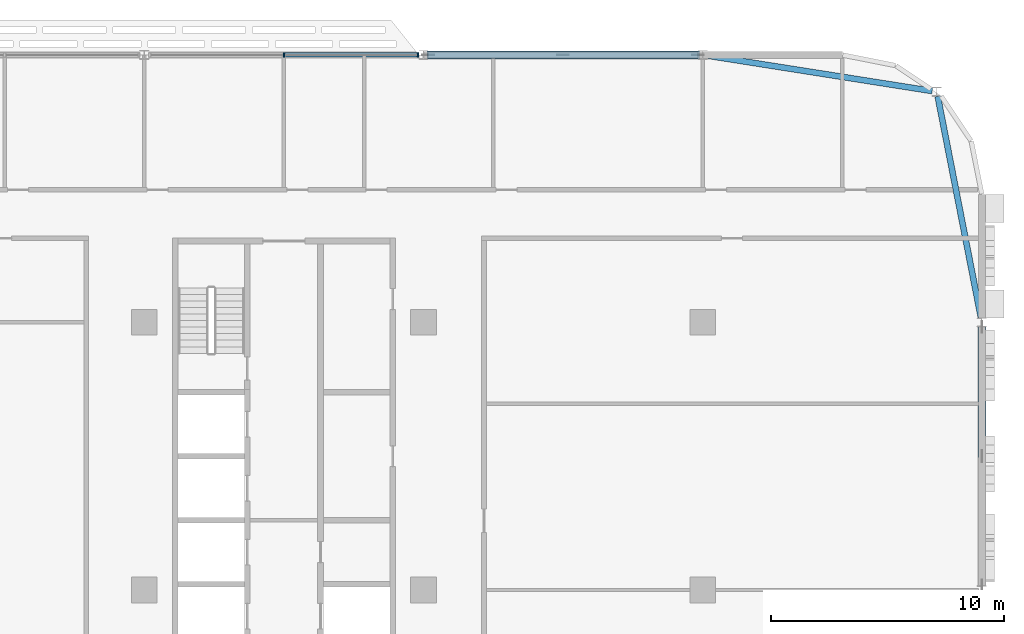
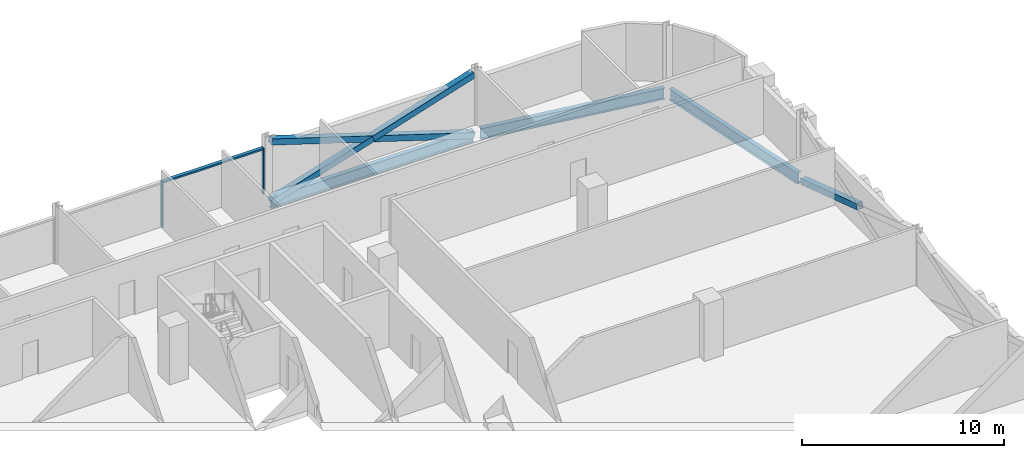
# One storey, part 11 of 30: 7 members, 3 beams, 1 element without a shape of its own.
"""IFC4 building model written with IfcOpenShell, lengths in metres."""

from ifc_helpers import new_model, si_unit, direction, frame, origin, origin_2d, place, context, subcontext, project, spatial, rectangle, hollow_rectangle, i_section, extrude, material, material_profile, profile_set, type_object, element, aggregate, save


model = new_model("IFC4")

# Units and contexts
model_context = context("Model", 3, precision=1e-05, world=origin(), true_north=direction((0.0, 1.0)))
body_context = subcontext(model_context, "Body", "Model", "MODEL_VIEW")
ifc_project = project(units=[si_unit("LENGTHUNIT", "METRE"), si_unit("AREAUNIT", "SQUARE_METRE"), si_unit("VOLUMEUNIT", "CUBIC_METRE"), si_unit("PLANEANGLEUNIT", "RADIAN"), si_unit("MASSUNIT", "GRAM", prefix="KILO")], contexts=[model_context])

# Site, building, storey
site_placement = place(None, origin())
site = spatial("IfcSite", under=ifc_project, at=site_placement, CompositionType="ELEMENT")
building_placement = place(site_placement, origin())
building = spatial("IfcBuilding", under=site, at=building_placement, Name="Mahtab Terrace Research Tower", CompositionType="ELEMENT")
storey_placement = place(building_placement, frame((0.0, 0.0, 212.89990234375)))
storey = spatial("IfcBuildingStorey", under=building, at=storey_placement, Name="L51", CompositionType="ELEMENT", Elevation=212.89990234375)

# Members
ifc_material_1 = material(Name="Steel ASTM A500 Gr C", Category="steel")
ifc_material_profile_1 = material_profile(ifc_material_1, hollow_rectangle(XDim=0.355712890625, YDim=0.355712890625, WallThickness=0.015869140625, at=origin_2d()), Name="HSS14X14X5/8")
ifc_profile_set_1 = profile_set([ifc_material_profile_1], Name="Steel ASTM A500 Gr C")
member_type_1 = type_object("IfcMemberType", Name="HSS 14x14x5/8 brace XB141458", PredefinedType="BRACE", material=ifc_profile_set_1)
member_1_placement = place(storey_placement, frame((41.79931640625, 23.0, -0.615478515625), z_axis=(-0.953343380425, 0.0, 0.301888057067), x_axis=(0.0, -1.0, 0.0)))
element("IfcMember", 1, at=member_1_placement, inside=storey, type_object=member_type_1, Name="Exoskeleton brace L51 02 a", PredefinedType="BRACE", context=body_context, shape_type="SweptSolid", body=[
    extrude(hollow_rectangle(XDim=0.355712890625, YDim=0.355712890625, WallThickness=0.015869140625, at=origin_2d()), origin(), (0.0, 0.0, 1.0), 12.166259765625),
])
for number, where, z_axis, x_axis, name in (
    (2, (30.20068359375, 23.0, -0.615478515625), (0.953343380425, 0.0, 0.301888057067), (0.0, 1.0, 0.0), "Exoskeleton brace L51 02 b1"),
    (3, (36.0, 23.0, 1.220947265625), (0.953343380425, 0.0, 0.301888057067), (0.0, 1.0, 0.0), "Exoskeleton brace L51 02 b2"),
):
    element("IfcMember", number, at=place(storey_placement, frame(where, z_axis=z_axis, x_axis=x_axis)), inside=storey, type_object=member_type_1, Name=name, PredefinedType="BRACE", context=body_context, shape_type="SweptSolid", body=[
        extrude(hollow_rectangle(XDim=0.355712890625, YDim=0.355712890625, WallThickness=0.015869140625, at=origin_2d()), origin(), (0.0, 0.0, 1.0), 6.083251953125),
    ])
member_2_placement = place(storey_placement, frame((54.0, 11.300537109375, -0.613037109375), z_axis=(0.0, -0.949511130933, 0.313733345748), x_axis=(1.0, 0.0, 0.0)))
element("IfcMember", 4, at=member_2_placement, inside=storey, type_object=member_type_1, Name="Exoskeleton brace L51 23 b1", PredefinedType="BRACE", context=body_context, shape_type="SweptSolid", body=[
    extrude(hollow_rectangle(XDim=0.355712890625, YDim=0.355712890625, WallThickness=0.015869140625, at=origin_2d()), origin(), (0.0, 0.0, 1.0), 5.845703125),
])

# Curtain wall, members
ifc_material_2 = material(Name="Laboratory ribbon curtain wall")
curtain_wall_type = type_object("IfcCurtainWallType", Name="Laboratory ribbon curtain wall", PredefinedType="NOTDEFINED", material=ifc_material_2)
curtain_wall_placement = place(storey_placement, origin())
curtain_wall = element("IfcCurtainWall", 5, at=curtain_wall_placement, inside=storey, type_object=curtain_wall_type, Name="EN.L51.3.5", PredefinedType="NOTDEFINED")
ifc_material_3 = material(Name="Natural anodised aluminium", Category="aluminium")
ifc_material_profile_2 = material_profile(ifc_material_3, rectangle(XDim=0.199951171875, YDim=0.06494140625, at=origin_2d()), Name="MULLION 65x200")
ifc_profile_set_2 = profile_set([ifc_material_profile_2], Name="Natural anodised aluminium")
member_type_2 = type_object("IfcMemberType", Name="Laboratory ribbon curtain wall mullion", PredefinedType="MULLION", material=ifc_profile_set_2)
member_3_placement = place(storey_placement, frame((29.767578125, 23.0, 0.0), z_axis=(0.0, 0.0, 1.0), x_axis=(0.0, -1.0, 0.0)))
member_3 = element("IfcMember", 6, at=member_3_placement, type_object=member_type_2, Name="CWL-6 mullion 1", PredefinedType="MULLION", context=body_context, shape_type="SweptSolid", body=[
    extrude(rectangle(XDim=0.199951171875, YDim=0.06494140625, at=origin_2d()), origin(), (0.0, 0.0, 1.0), 2.781982421875),
])
member_4_placement = place(storey_placement, frame((24.0, 23.0, 0.0), z_axis=(0.0, 0.0, 1.0), x_axis=(0.0, -1.0, 0.0)))
member_4 = element("IfcMember", 7, at=member_4_placement, type_object=member_type_2, Name="CWL-6 mullion 2", PredefinedType="MULLION", context=body_context, shape_type="SweptSolid", body=[
    extrude(rectangle(XDim=0.199951171875, YDim=0.06494140625, at=origin_2d()), origin(), (0.0, 0.0, 1.0), 2.781982421875),
])
ifc_material_profile_3 = material_profile(ifc_material_3, rectangle(XDim=0.199951171875, YDim=0.10009765625, at=origin_2d()), Name="TRANSOM 100x200")
ifc_profile_set_3 = profile_set([ifc_material_profile_3], Name="Natural anodised aluminium")
member_type_3 = type_object("IfcMemberType", Name="Laboratory ribbon curtain wall transom", PredefinedType="USERDEFINED", material=ifc_profile_set_3)
member_5_placement = place(storey_placement, frame((29.735107421875, 23.0, 2.73193359375), z_axis=(-1.0, 0.0, 0.0), x_axis=(0.0, -1.0, 0.0)))
member_5 = element("IfcMember", 8, at=member_5_placement, type_object=member_type_3, Name="CWL-6 transom 1", ObjectType="TRANSOM", PredefinedType="USERDEFINED", context=body_context, shape_type="SweptSolid", body=[
    extrude(rectangle(XDim=0.199951171875, YDim=0.10009765625, at=origin_2d()), origin(), (0.0, 0.0, 1.0), 5.70263671875),
])
aggregate(curtain_wall, [member_3, member_4, member_5])

# Beams
ifc_material_4 = material(Name="Steel ASTM A992 Gr 50", Category="steel")
ifc_material_profile_4 = material_profile(ifc_material_4, i_section(OverallWidth=0.25390625, OverallDepth=0.67822265625, WebThickness=0.01171875, FlangeThickness=0.016357421875, at=origin_2d()), Name="W27X84")
ifc_profile_set_4 = profile_set([ifc_material_profile_4], Name="Steel ASTM A992 Gr 50")
beam_type = type_object("IfcBeamType", Name="W27x84 beam BS2784", PredefinedType="BEAM", material=ifc_profile_set_4)
beam_1_placement = place(storey_placement, frame((51.861328125, 21.447509765625, -0.678955078125), z_axis=(-0.987831689273, 0.155526697604, 0.0), x_axis=(-0.155526697604, -0.987831689273, 0.0)))
element("IfcBeam", 9, at=beam_1_placement, inside=storey, type_object=beam_type, Name="Spandrel beam L51 01", PredefinedType="BEAM", context=body_context, shape_type="SweptSolid", body=[
    extrude(i_section(OverallWidth=0.25390625, OverallDepth=0.67822265625, WebThickness=0.01171875, FlangeThickness=0.016357421875, at=origin_2d()), origin(), (0.0, 0.0, 1.0), 9.779541015625),
])
beam_2_placement = place(storey_placement, frame((41.79931640625, 23.0, -0.678955078125), z_axis=(-1.0, 0.0, 0.0), x_axis=(0.0, -1.0, 0.0)))
element("IfcBeam", 10, at=beam_2_placement, inside=storey, type_object=beam_type, Name="Spandrel beam L51 02", PredefinedType="BEAM", context=body_context, shape_type="SweptSolid", body=[
    extrude(i_section(OverallWidth=0.25390625, OverallDepth=0.67822265625, WebThickness=0.01171875, FlangeThickness=0.016357421875, at=origin_2d()), origin(), (0.0, 0.0, 1.0), 11.5986328125),
])
beam_3_placement = place(storey_placement, frame((53.9609375, 11.699462890625, -0.678955078125), z_axis=(-0.191795474732, 0.981434916779, 0.0), x_axis=(-0.981434916779, -0.191795474732, 0.0)))
element("IfcBeam", 11, at=beam_3_placement, inside=storey, type_object=beam_type, Name="Spandrel beam L51 24", PredefinedType="BEAM", context=body_context, shape_type="SweptSolid", body=[
    extrude(i_section(OverallWidth=0.25390625, OverallDepth=0.67822265625, WebThickness=0.01171875, FlangeThickness=0.016357421875, at=origin_2d()), origin(), (0.0, 0.0, 1.0), 9.697021484375),
])

save(model, "model.ifc")
